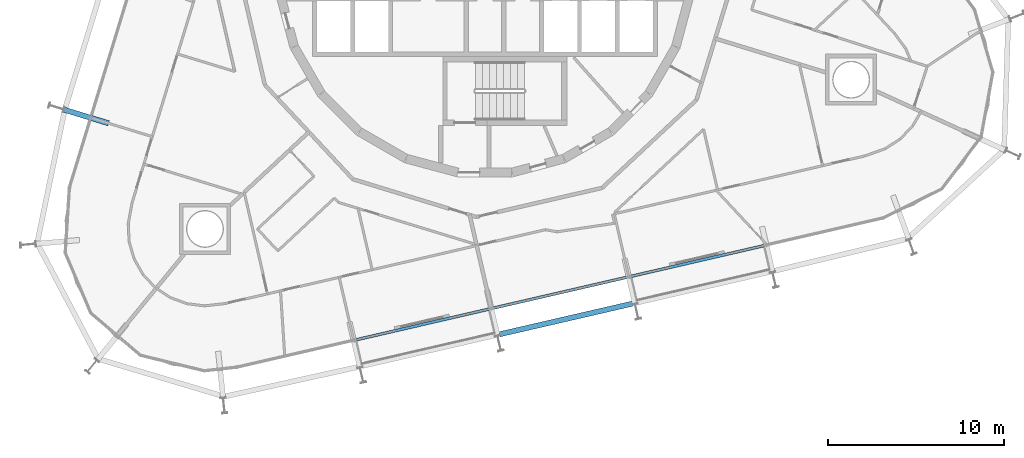
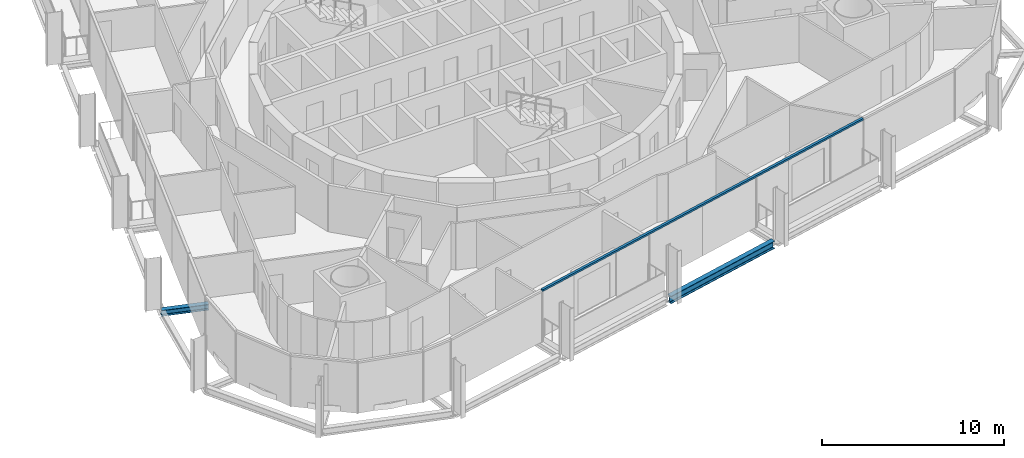
# One storey, part 4 of 18: 2 beams, 1 member, 1 element without a shape of its own.
"""IFC4 building model written with IfcOpenShell, lengths in metres."""

from ifc_helpers import new_model, si_unit, direction, frame, origin, origin_2d, place, context, subcontext, project, spatial, rectangle, i_section, extrude, material, layer, layer_set, material_profile, profile_set, type_object, element, aggregate, save


model = new_model("IFC4")

# Units and contexts
model_context = context("Model", 3, precision=1e-05, world=origin(), true_north=direction((0.0, 1.0)))
body_context = subcontext(model_context, "Body", "Model", "MODEL_VIEW")
ifc_project = project(units=[si_unit("LENGTHUNIT", "METRE"), si_unit("AREAUNIT", "SQUARE_METRE"), si_unit("VOLUMEUNIT", "CUBIC_METRE"), si_unit("PLANEANGLEUNIT", "RADIAN"), si_unit("MASSUNIT", "GRAM", prefix="KILO")], contexts=[model_context])

# Site, building, storey
site_placement = place(None, origin())
site = spatial("IfcSite", under=ifc_project, at=site_placement, CompositionType="ELEMENT")
building_placement = place(site_placement, origin())
building = spatial("IfcBuilding", under=site, at=building_placement, Name="Spindle Arch Residences", CompositionType="ELEMENT")
storey_placement = place(building_placement, frame((0.0, 0.0, 120.39990234375)))
storey = spatial("IfcBuildingStorey", under=building, at=storey_placement, Name="L29", CompositionType="ELEMENT", Elevation=120.39990234375)

# Curtain wall, member
ifc_material_1 = material(Name="Aluminium bronze unitised frame with tinted glass", Category="aluminium")
ifc_layer = layer(ifc_material_1, 0.159912109375)
ifc_layer_set = layer_set([ifc_layer], Name="CW-C typical residential unitised wall")
curtain_wall_type = type_object("IfcCurtainWallType", Name="CW-C typical residential unitised wall", PredefinedType="NOTDEFINED", material=ifc_layer_set)
curtain_wall_placement = place(storey_placement, origin())
curtain_wall = element("IfcCurtainWall", 1, at=curtain_wall_placement, inside=storey, type_object=curtain_wall_type, Name="CW-C L29 run 6", PredefinedType="NOTDEFINED")
ifc_material_2 = material(Name="Aluminium bronze anodised transom", Category="aluminium")
ifc_material_profile_1 = material_profile(ifc_material_2, rectangle(XDim=0.159912109375, YDim=0.1201171875, at=origin_2d()), Name="TR 120x160")
ifc_profile_set_1 = profile_set([ifc_material_profile_1], Name="Aluminium bronze anodised transom")
member_type = type_object("IfcMemberType", Name="Bronze transom 120x160", PredefinedType="USERDEFINED", material=ifc_profile_set_1)
member_placement = place(storey_placement, frame((-7.438232421875, -21.187255859375, 3.06005859375), z_axis=(0.974369784879, 0.224952266747, 0.0), x_axis=(-0.224952266747, 0.974369784879, 0.0)))
member = element("IfcMember", 2, at=member_placement, type_object=member_type, Name="CW-C transom 00", ObjectType="TRANSOM", PredefinedType="USERDEFINED", context=body_context, shape_type="SweptSolid", body=[
    extrude(rectangle(XDim=0.159912109375, YDim=0.1201171875, at=origin_2d()), origin(), (0.0, 0.0, 1.0), 24.02734375),
])
aggregate(curtain_wall, [member])

# Beams
ifc_material_3 = material(Name="Steel S460ML, intumescent coating R 120", Category="steel")
ifc_material_profile_2 = material_profile(ifc_material_3, i_section(OverallWidth=0.300048828125, OverallDepth=0.5, WebThickness=0.014404296875, FlangeThickness=0.028076171875, FilletRadius=0.027099609375, at=origin_2d()), Name="HEB 500")
ifc_profile_set_2 = profile_set([ifc_material_profile_2], Name="Steel S460ML, intumescent coating R 120")
beam_type_1 = type_object("IfcBeamType", Name="Exoskeleton edge beam HEB 500", PredefinedType="BEAM", material=ifc_profile_set_2)
beam_1_placement = place(storey_placement, frame((0.82666015625, -20.849365234375, -0.6298828125), z_axis=(0.974366827477, 0.224965076206, 0.0), x_axis=(-0.224965076206, 0.974366827477, 0.0)))
element("IfcBeam", 3, at=beam_1_placement, inside=storey, type_object=beam_type_1, Name="Exoskeleton edge beam 22", PredefinedType="BEAM", context=body_context, shape_type="SweptSolid", body=[
    extrude(i_section(OverallWidth=0.300048828125, OverallDepth=0.5, WebThickness=0.014404296875, FlangeThickness=0.028076171875, FilletRadius=0.027099609375, at=origin_2d()), origin(), (0.0, 0.0, 1.0), 7.769287109375),
])
ifc_material_4 = material(Name="Steel S460ML, intumescent coating R 120", Category="steel")
ifc_material_profile_3 = material_profile(ifc_material_4, i_section(OverallWidth=0.300048828125, OverallDepth=0.389892578125, WebThickness=0.010986328125, FlangeThickness=0.01904296875, FilletRadius=0.027099609375, at=origin_2d()), Name="HEA 400")
ifc_profile_set_3 = profile_set([ifc_material_profile_3], Name="Steel S460ML, intumescent coating R 120")
beam_type_2 = type_object("IfcBeamType", Name="Floor outrigger HEA 400", PredefinedType="BEAM", material=ifc_profile_set_3)
beam_2_placement = place(storey_placement, frame((-23.947265625, -8.0712890625, -0.574951171875), z_axis=(0.956291475666, -0.292415139091, 0.0), x_axis=(0.292415139091, 0.956291475666, 0.0)))
element("IfcBeam", 4, at=beam_2_placement, inside=storey, type_object=beam_type_2, Name="Floor outrigger 17", PredefinedType="BEAM", context=body_context, shape_type="SweptSolid", body=[
    extrude(i_section(OverallWidth=0.300048828125, OverallDepth=0.389892578125, WebThickness=0.010986328125, FlangeThickness=0.01904296875, FilletRadius=0.027099609375, at=origin_2d()), origin(), (0.0, 0.0, 1.0), 2.64990234375),
])

save(model, "model.ifc")
